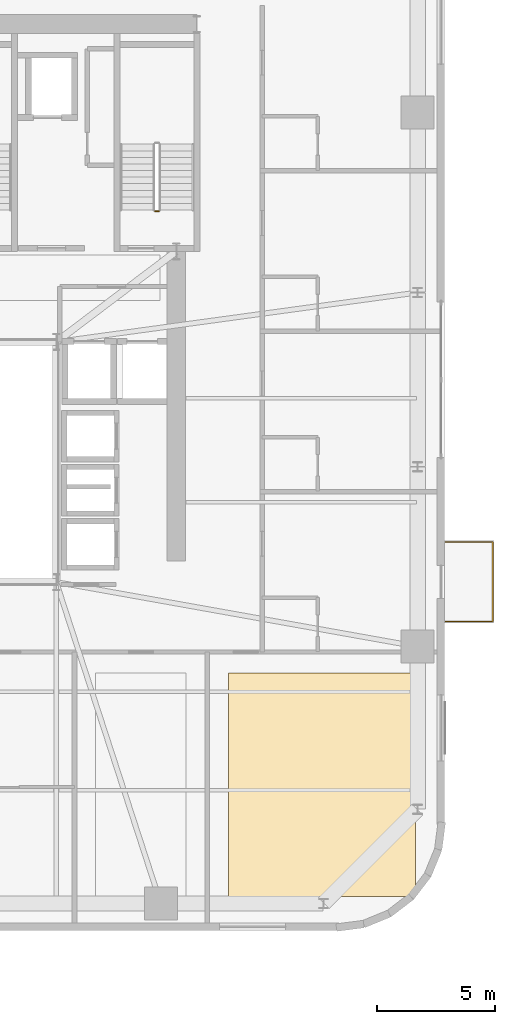
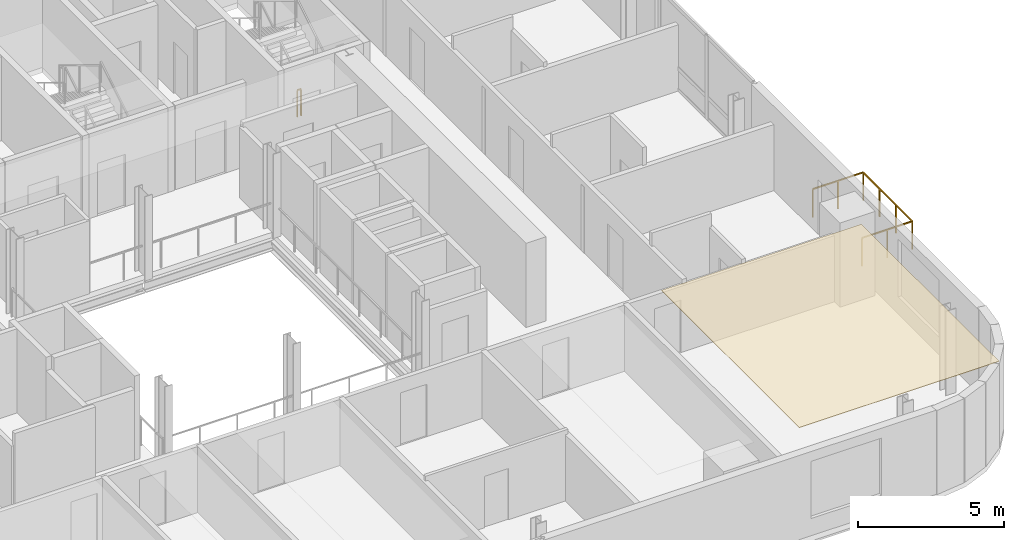
# One storey, part 14 of 16: 2 railings, 1 covering.
"""IFC4 building model written with IfcOpenShell, lengths in metres."""

from ifc_helpers import new_model, si_unit, direction, frame, origin, origin_2d, place, context, subcontext, project, spatial, polyline, rectangle, outline, extrude, source, transform, mapped, material, layer, layer_set, type_object, element, save


model = new_model("IFC4")

# Units and contexts
model_context = context("Model", 3, precision=1e-05, world=origin(), true_north=direction((0.0, 1.0)))
body_context = subcontext(model_context, "Body", "Model", "MODEL_VIEW")
ifc_project = project(units=[si_unit("LENGTHUNIT", "METRE"), si_unit("AREAUNIT", "SQUARE_METRE"), si_unit("VOLUMEUNIT", "CUBIC_METRE"), si_unit("PLANEANGLEUNIT", "RADIAN"), si_unit("MASSUNIT", "GRAM", prefix="KILO")], contexts=[model_context])

# Site, building, storey
site_placement = place(None, origin())
site = spatial("IfcSite", under=ifc_project, at=site_placement, CompositionType="ELEMENT")
building_placement = place(site_placement, origin())
building = spatial("IfcBuilding", under=site, at=building_placement, Name="Vardaveli Station Tower", CompositionType="ELEMENT")
storey_placement = place(building_placement, frame((0.0, 0.0, 226.050048828125)))
storey = spatial("IfcBuildingStorey", under=building, at=storey_placement, Name="L58", CompositionType="ELEMENT", Elevation=226.050048828125)

# Covering
ifc_material_1 = material(Name="Perforated acoustic mineral ceiling")
ifc_layer = layer(ifc_material_1, 0.02001953125, Name="Perforated acoustic mineral ceiling")
ifc_layer_set = layer_set([ifc_layer], Name="Perforated acoustic mineral ceiling")
covering_type = type_object("IfcCoveringType", Name="COV-CEIL-AC20", PredefinedType="CEILING", material=ifc_layer_set)
covering_placement = place(storey_placement, frame((0.0, 0.0, 3.514892578125)))
element("IfcCovering", 1, at=covering_placement, inside=storey, type_object=covering_type, Name="CEIL-L58-5", PredefinedType="CEILING", context=body_context, shape_type="SweptSolid", body=[
    extrude(outline(polyline([(48.719970703125, 3.25), (56.64990234375, 3.25), (56.64990234375, 12.72998046875), (48.719970703125, 12.72998046875), (48.719970703125, 3.25)])), origin(), (0.0, 0.0, 1.0), 0.02001953125),
])

# Railings
ifc_material_2 = material(Name="Laminated glass and stainless steel balustrade", Category="steel")
railing_type_1 = type_object("IfcRailingType", Name="RL-BAL-1200", PredefinedType="BALUSTRADE", material=ifc_material_2)
shared_shape_1 = source(origin(), body_context, "Body", "SweptSolid", [
    extrude(rectangle(XDim=0.048095703125, YDim=0.048095703125, at=origin_2d()), frame((0.0, 0.0, 1.17578125), z_axis=(1.0, 0.0, 0.0), x_axis=(0.0, 1.0, 0.0)), (0.0, 0.0, 1.0), 2.0),
    extrude(rectangle(XDim=0.048095703125, YDim=0.048095703125, at=origin_2d()), frame((2.0, 0.0, 1.17578125), z_axis=(0.0, 1.0, 0.0), x_axis=(-1.0, 0.0, 0.0)), (0.0, 0.0, 1.0), 3.3798828125),
    extrude(rectangle(XDim=0.048095703125, YDim=0.048095703125, at=origin_2d()), frame((2.0, 3.3798828125, 1.17578125), z_axis=(-1.0, 0.0, 0.0), x_axis=(0.0, -1.0, 0.0)), (0.0, 0.0, 1.0), 2.0),
    extrude(rectangle(XDim=0.0419921875, YDim=0.0419921875, at=origin_2d()), origin(), (0.0, 0.0, 1.0), 1.15185546875),
    extrude(rectangle(XDim=0.0419921875, YDim=0.0419921875, at=origin_2d()), frame((1.0, 0.0, 0.0)), (0.0, 0.0, 1.0), 1.15185546875),
    extrude(rectangle(XDim=0.0419921875, YDim=0.0419921875, at=origin_2d()), frame((2.0, 0.0, 0.0)), (0.0, 0.0, 1.0), 1.15185546875),
    extrude(rectangle(XDim=0.0419921875, YDim=0.0419921875, at=origin_2d()), frame((2.0, 1.126708984375, 0.0)), (0.0, 0.0, 1.0), 1.15185546875),
    extrude(rectangle(XDim=0.0419921875, YDim=0.0419921875, at=origin_2d()), frame((2.0, 2.253173828125, 0.0)), (0.0, 0.0, 1.0), 1.15185546875),
    extrude(rectangle(XDim=0.0419921875, YDim=0.0419921875, at=origin_2d()), frame((2.0, 3.3798828125, 0.0)), (0.0, 0.0, 1.0), 1.15185546875),
    extrude(rectangle(XDim=0.0419921875, YDim=0.0419921875, at=origin_2d()), frame((1.0, 3.3798828125, 0.0)), (0.0, 0.0, 1.0), 1.15185546875),
    extrude(rectangle(XDim=0.0419921875, YDim=0.0419921875, at=origin_2d()), frame((0.0, 3.3798828125, 0.0)), (0.0, 0.0, 1.0), 1.15185546875),
])
railing_1_placement = place(storey_placement, frame((57.93994140625, 14.92041015625, 0.0)))
element("IfcRailing", 2, at=railing_1_placement, inside=storey, type_object=railing_type_1, Name="RL-LOG-L58-04", PredefinedType="BALUSTRADE", context=body_context, shape_type="MappedRepresentation", body=[
    mapped(shared_shape_1, transform((0.0, 0.0, 0.0), scale=1.0)),
])
ifc_material_3 = material(Name="Brushed AISI 316 stainless steel", Category="steel")
railing_type_2 = type_object("IfcRailingType", Name="RL-GUARD-1150", PredefinedType="GUARDRAIL", material=ifc_material_3)
shared_shape_2 = source(origin(), body_context, "Body", "SweptSolid", [
    extrude(rectangle(XDim=0.048095703125, YDim=0.048095703125, at=origin_2d()), frame((0.0, 0.0, 1.1259765625), z_axis=(-1.0, 0.0, 0.0), x_axis=(0.0, -1.0, 0.0)), (0.0, 0.0, 1.0), 0.14990234375),
    extrude(rectangle(XDim=0.0419921875, YDim=0.0419921875, at=origin_2d()), origin(), (0.0, 0.0, 1.0), 1.101806640625),
    extrude(rectangle(XDim=0.0419921875, YDim=0.0419921875, at=origin_2d()), frame((-0.14990234375, 0.0, 0.0)), (0.0, 0.0, 1.0), 1.101806640625),
])
railing_2_placement = place(storey_placement, frame((45.75, 32.35009765625, 0.0)))
element("IfcRailing", 3, at=railing_2_placement, inside=storey, type_object=railing_type_2, Name="L58 ST-3 stair guard 4", PredefinedType="GUARDRAIL", context=body_context, shape_type="MappedRepresentation", body=[
    mapped(shared_shape_2, transform((0.0, 0.0, 0.0), scale=1.0)),
])

save(model, "model.ifc")
